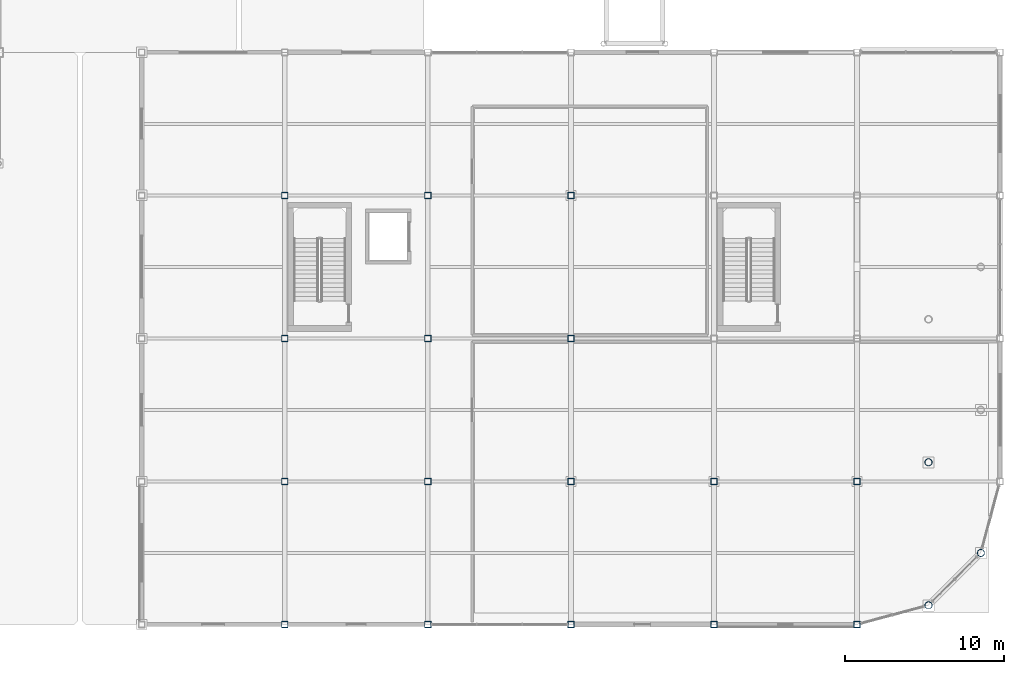
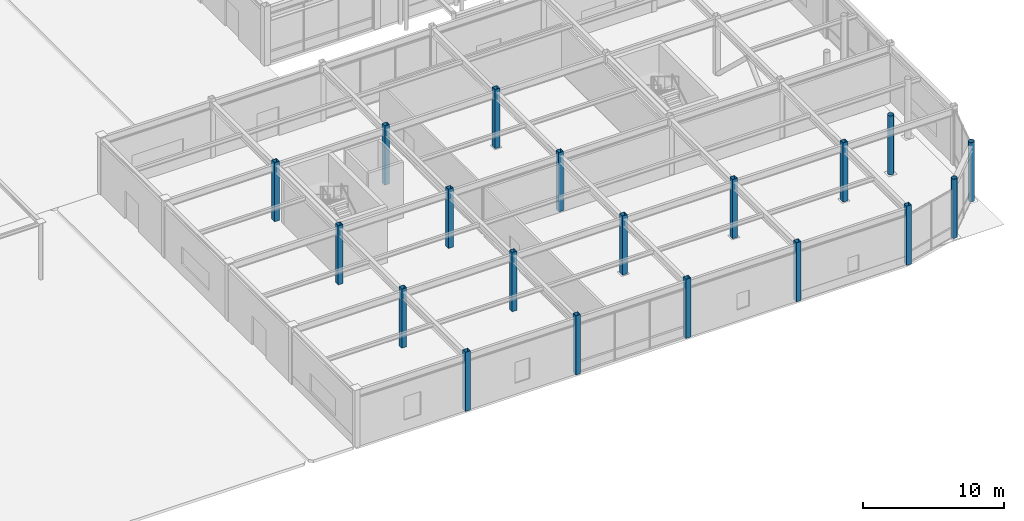
# One storey, part 22 of 123: 19 columns.
"""IFC4 building model written with IfcOpenShell, lengths in metres."""

from ifc_helpers import new_model, si_unit, direction, frame, origin, origin_2d, place, context, subcontext, project, spatial, hollow_rectangle, hollow_circle, extrude, material, material_profile, profile_set, type_object, element, save


model = new_model("IFC4")

# Units and contexts
model_context = context("Model", 3, precision=1e-05, world=origin(), true_north=direction((0.0, 1.0)))
body_context = subcontext(model_context, "Body", "Model", "MODEL_VIEW")
ifc_project = project(units=[si_unit("LENGTHUNIT", "METRE"), si_unit("AREAUNIT", "SQUARE_METRE"), si_unit("VOLUMEUNIT", "CUBIC_METRE"), si_unit("PLANEANGLEUNIT", "RADIAN"), si_unit("MASSUNIT", "GRAM", prefix="KILO")], contexts=[model_context])

# Site, building, storey
site_placement = place(None, origin())
site = spatial("IfcSite", under=ifc_project, at=site_placement, CompositionType="ELEMENT")
building_placement = place(site_placement, origin())
building = spatial("IfcBuilding", under=site, at=building_placement, Name="Suzunagisa Mobility Hub", CompositionType="ELEMENT")
storey_placement = place(building_placement, origin())
storey = spatial("IfcBuildingStorey", under=building, at=storey_placement, Name="L00", CompositionType="ELEMENT", Elevation=0.0)

# Columns
ifc_material = material(Name="Steel SN490B", Category="steel")
ifc_material_profile_1 = material_profile(ifc_material, hollow_circle(Radius=0.228515625, WallThickness=0.01611328125, at=origin_2d()), Name="CHS-457.2x16.0")
ifc_profile_set_1 = profile_set([ifc_material_profile_1], Name="Steel SN490B")
column_type_1 = type_object("IfcColumnType", Name="Steel Column CL-08 CHS-457.2x16.0", PredefinedType="COLUMN", material=ifc_profile_set_1)
for number, where, z_axis, x_axis, name in (
    (1, (175.5, 1.205810546875, 0.0), (0.0, 0.0, 1.0), (1.0, 0.0, 0.0), "L00 Column 309"),
    (2, (175.5, 10.205810546875, 0.0), (0.0, 0.0, 1.0), (1.0, 0.0, 0.0), "L00 Column 310"),
    (3, (178.794189453125, 4.5, 0.0), (0.0, 0.0, 1.0), (1.0, 0.0, 0.0), "L00 Column 315"),
):
    element("IfcColumn", number, at=place(storey_placement, frame(where, z_axis=z_axis, x_axis=x_axis)), inside=storey, type_object=column_type_1, Name=name, PredefinedType="COLUMN", context=body_context, shape_type="SweptSolid", body=[
        extrude(hollow_circle(Radius=0.228515625, WallThickness=0.01611328125, at=origin_2d()), origin(), (0.0, 0.0, 1.0), 5.10009765625),
    ])
ifc_material_profile_2 = material_profile(ifc_material, hollow_rectangle(XDim=0.39990234375, YDim=0.39990234375, WallThickness=0.01904296875, at=origin_2d()), Name="BCR-400x400x19")
ifc_profile_set_2 = profile_set([ifc_material_profile_2], Name="Steel SN490B")
column_type_2 = type_object("IfcColumnType", Name="Steel Column CL-13 BCR-400x400x19", PredefinedType="COLUMN", material=ifc_profile_set_2)
for number, where, z_axis, x_axis, name in (
    (4, (135.0, 0.0, 0.0), (0.0, 0.0, 1.0), (1.0, 0.0, 0.0), "L00 Column 242"),
    (5, (135.0, 9.0, 0.0), (0.0, 0.0, 1.0), (1.0, 0.0, 0.0), "L00 Column 243"),
    (6, (135.0, 18.0, 0.0), (0.0, 0.0, 1.0), (1.0, 0.0, 0.0), "L00 Column 244"),
    (7, (135.0, 27.0, 0.0), (0.0, 0.0, 1.0), (1.0, 0.0, 0.0), "L00 Column 245"),
    (8, (144.0, 0.0, 0.0), (0.0, 0.0, 1.0), (1.0, 0.0, 0.0), "L00 Column 251"),
    (9, (144.0, 9.0, 0.0), (0.0, 0.0, 1.0), (1.0, 0.0, 0.0), "L00 Column 252"),
    (10, (144.0, 18.0, 0.0), (0.0, 0.0, 1.0), (1.0, 0.0, 0.0), "L00 Column 253"),
    (11, (144.0, 27.0, 0.0), (0.0, 0.0, 1.0), (1.0, 0.0, 0.0), "L00 Column 254"),
    (12, (153.0, 0.0, 0.0), (0.0, 0.0, 1.0), (1.0, 0.0, 0.0), "L00 Column 264"),
    (13, (153.0, 9.0, 0.0), (0.0, 0.0, 1.0), (1.0, 0.0, 0.0), "L00 Column 265"),
    (14, (153.0, 18.0, 0.0), (0.0, 0.0, 1.0), (1.0, 0.0, 0.0), "L00 Column 266"),
    (15, (153.0, 27.0, 0.0), (0.0, 0.0, 1.0), (1.0, 0.0, 0.0), "L00 Column 267"),
    (16, (162.0, 0.0, 0.0), (0.0, 0.0, 1.0), (1.0, 0.0, 0.0), "L00 Column 283"),
    (17, (162.0, 9.0, 0.0), (0.0, 0.0, 1.0), (1.0, 0.0, 0.0), "L00 Column 284"),
    (18, (171.0, 0.0, 0.0), (0.0, 0.0, 1.0), (1.0, 0.0, 0.0), "L00 Column 296"),
    (19, (171.0, 9.0, 0.0), (0.0, 0.0, 1.0), (1.0, 0.0, 0.0), "L00 Column 297"),
):
    element("IfcColumn", number, at=place(storey_placement, frame(where, z_axis=z_axis, x_axis=x_axis)), inside=storey, type_object=column_type_2, Name=name, PredefinedType="COLUMN", context=body_context, shape_type="SweptSolid", body=[
        extrude(hollow_rectangle(XDim=0.39990234375, YDim=0.39990234375, WallThickness=0.01904296875, at=origin_2d()), origin(), (0.0, 0.0, 1.0), 5.10009765625),
    ])

save(model, "model.ifc")
